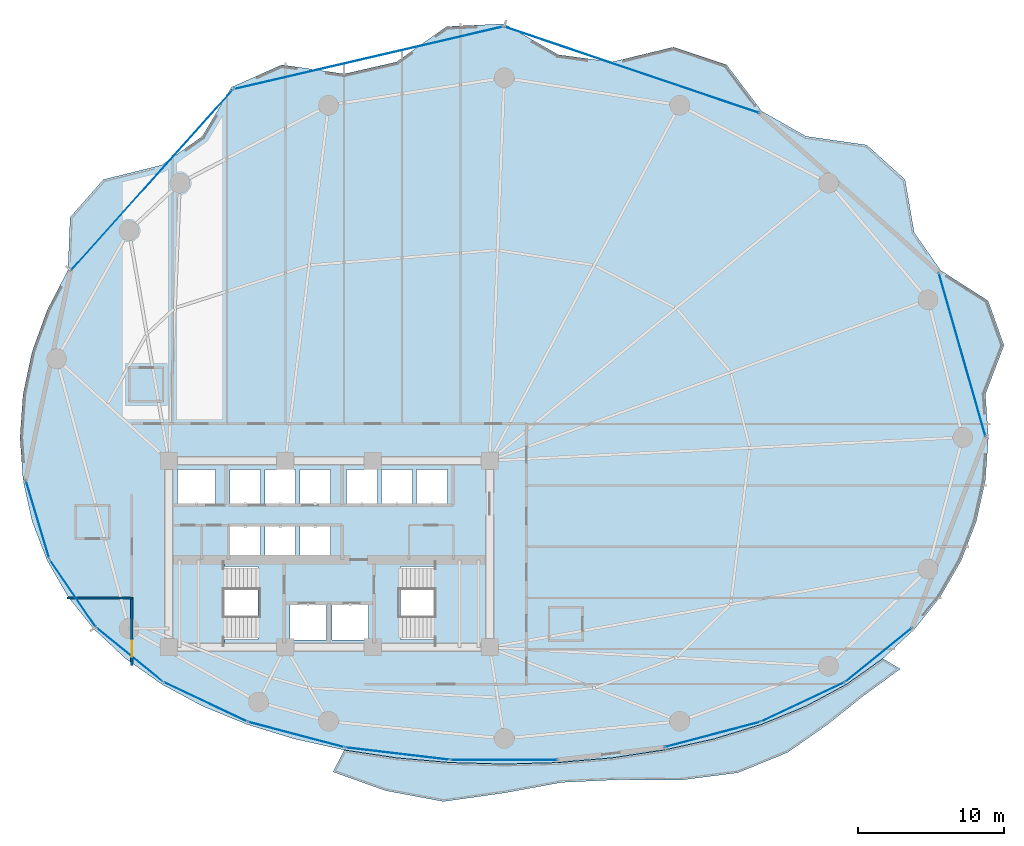
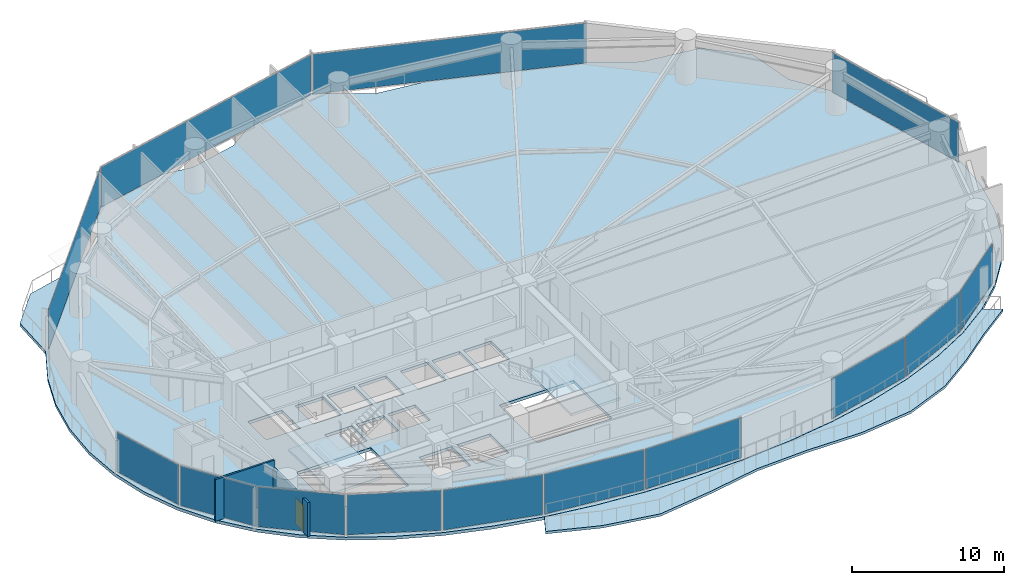
# One storey, part 25 of 31: 14 plates, 4 slabs, 2 walls, 1 door, 1 opening, 16 elements without a shape of their own.
"""IFC4 building model written with IfcOpenShell, lengths in metres."""

from ifc_helpers import new_model, si_unit, direction, frame, frame_2d, origin, origin_2d, place, context, subcontext, project, spatial, polyline, rectangle, outline, extrude, material, layer, layer_set, type_object, element, fill, aggregate, save


model = new_model("IFC4")

# Units and contexts
model_context = context("Model", 3, precision=1e-05, world=origin(), true_north=direction((0.0, 1.0)))
body_context = subcontext(model_context, "Body", "Model", "MODEL_VIEW")
ifc_project = project(units=[si_unit("LENGTHUNIT", "METRE"), si_unit("AREAUNIT", "SQUARE_METRE"), si_unit("VOLUMEUNIT", "CUBIC_METRE"), si_unit("PLANEANGLEUNIT", "RADIAN"), si_unit("MASSUNIT", "GRAM", prefix="KILO")], contexts=[model_context])

# Site, building, storey
site_placement = place(None, origin())
site = spatial("IfcSite", under=ifc_project, at=site_placement, CompositionType="ELEMENT")
building_placement = place(site_placement, origin())
building = spatial("IfcBuilding", under=site, at=building_placement, Name="Kazevale Care Tower and Concert Hall", CompositionType="ELEMENT")
storey_placement = place(building_placement, frame((0.0, 0.0, 78.0)))
storey = spatial("IfcBuildingStorey", under=building, at=storey_placement, Name="L20", CompositionType="ELEMENT", Elevation=78.0)

# Curtain wall, plate
ifc_material_1 = material(Name="Aluminium 6063-T6 and Low-E Glass", Category="aluminium")
ifc_layer_1 = layer(ifc_material_1, 0.179931640625)
ifc_layer_set_1 = layer_set([ifc_layer_1], Name="Aluminium 6063-T6 and Low-E Glass")
curtain_wall_type_1 = type_object("IfcCurtainWallType", Name="Convex Checkerboard Finned Curtain Wall CW-2", PredefinedType="NOTDEFINED", material=ifc_layer_set_1)
curtain_wall_1_placement = place(storey_placement, origin())
curtain_wall_1 = element("IfcCurtainWall", 1, at=curtain_wall_1_placement, inside=storey, type_object=curtain_wall_type_1, Name="cw:L20:f14", PredefinedType="NOTDEFINED")
ifc_material_2 = material(Name="Low-E Laminated Glass", Category="glass")
ifc_layer_2 = layer(ifc_material_2, 0.028076171875)
ifc_layer_set_2 = layer_set([ifc_layer_2], Name="Low-E Laminated Glass")
plate_type_1 = type_object("IfcPlateType", Name="CW-2 Low-E Glazing Panel 28mm", PredefinedType="CURTAIN_PANEL", material=ifc_layer_set_2)
plate_1_placement = place(storey_placement, frame((20.845458984375, 55.635009765625, 0.074951171875), z_axis=(0.0, 0.0, 1.0), x_axis=(0.667264908262, 0.744820476493, 0.0)))
plate_1 = element("IfcPlate", 2, at=plate_1_placement, type_object=plate_type_1, Name="CW-2 panel 1.1", PredefinedType="CURTAIN_PANEL", context=body_context, shape_type="SweptSolid", body=[
    extrude(rectangle(XDim=16.5634765625, YDim=0.028076171875, at=origin_2d()), origin(), (0.0, 0.0, 1.0), 3.2099609375),
])
aggregate(curtain_wall_1, [plate_1])

curtain_wall_2_placement = place(storey_placement, origin())
curtain_wall_2 = element("IfcCurtainWall", 3, at=curtain_wall_2_placement, inside=storey, type_object=curtain_wall_type_1, Name="cw:L20:f16", PredefinedType="NOTDEFINED")
plate_2_placement = place(storey_placement, frame((53.7490234375, 63.19140625, 0.074951171875), z_axis=(0.0, 0.0, 1.0), x_axis=(0.947202632135, -0.320635577685, 0.0)))
plate_2 = element("IfcPlate", 4, at=plate_2_placement, type_object=plate_type_1, Name="CW-2 panel 1.1", PredefinedType="CURTAIN_PANEL", context=body_context, shape_type="SweptSolid", body=[
    extrude(rectangle(XDim=18.40625, YDim=0.028076171875, at=origin_2d()), origin(), (0.0, 0.0, 1.0), 3.2099609375),
])
aggregate(curtain_wall_2, [plate_2])

ifc_layer_3 = layer(ifc_material_1, 0.179931640625)
ifc_layer_set_3 = layer_set([ifc_layer_3], Name="Aluminium 6063-T6 and Low-E Glass")
curtain_wall_type_2 = type_object("IfcCurtainWallType", Name="Convex Recessed Sunroom Curtain Wall CW-3", PredefinedType="NOTDEFINED", material=ifc_layer_set_3)
curtain_wall_3_placement = place(storey_placement, origin())
curtain_wall_3 = element("IfcCurtainWall", 5, at=curtain_wall_3_placement, inside=storey, type_object=curtain_wall_type_2, Name="cw:L20:f15", PredefinedType="NOTDEFINED")
ifc_layer_4 = layer(ifc_material_2, 0.028076171875)
ifc_layer_set_4 = layer_set([ifc_layer_4], Name="Low-E Laminated Glass")
plate_type_2 = type_object("IfcPlateType", Name="CW-3 Low-E Glazing Panel 28mm", PredefinedType="CURTAIN_PANEL", material=ifc_layer_set_4)
plate_3_placement = place(storey_placement, frame((35.6904296875, 64.015380859375, 0.074951171875), z_axis=(0.0, 0.0, 1.0), x_axis=(0.9740605916, 0.226287348061, 0.0)))
plate_3 = element("IfcPlate", 6, at=plate_3_placement, type_object=plate_type_2, Name="CW-3 panel 1.1", PredefinedType="CURTAIN_PANEL", context=body_context, shape_type="SweptSolid", body=[
    extrude(rectangle(XDim=18.87451171875, YDim=0.028076171875, at=origin_2d()), origin(), (0.0, 0.0, 1.0), 3.2099609375),
])
aggregate(curtain_wall_3, [plate_3])

ifc_layer_5 = layer(ifc_material_1, 0.179931640625)
ifc_layer_set_5 = layer_set([ifc_layer_5], Name="Aluminium 6063-T6 and Low-E Glass")
curtain_wall_type_3 = type_object("IfcCurtainWallType", Name="Waist & Upper Residential Curtain Wall CW-4", PredefinedType="NOTDEFINED", material=ifc_layer_set_5)
curtain_wall_4_placement = place(storey_placement, origin())
curtain_wall_4 = element("IfcCurtainWall", 7, at=curtain_wall_4_placement, inside=storey, type_object=curtain_wall_type_3, Name="cw:L20:f11", PredefinedType="NOTDEFINED")
ifc_layer_6 = layer(ifc_material_2, 0.030029296875)
ifc_layer_set_6 = layer_set([ifc_layer_6], Name="Low-E Laminated Glass")
plate_type_3 = type_object("IfcPlateType", Name="CW-4 Low-E Glazing Panel 30mm", PredefinedType="CURTAIN_PANEL", material=ifc_layer_set_6)
plate_4_placement = place(storey_placement, frame((15.423583984375, 27.298095703125, 0.080078125), z_axis=(0.0, 0.0, 1.0), x_axis=(-0.563665236801, 0.826003329789, 0.0)))
plate_4 = element("IfcPlate", 8, at=plate_4_placement, type_object=plate_type_3, Name="CW-4 panel 1.1", PredefinedType="CURTAIN_PANEL", context=body_context, shape_type="SweptSolid", body=[
    extrude(rectangle(XDim=5.50830078125, YDim=0.030029296875, at=origin_2d()), origin(), (0.0, 0.0, 1.0), 3.199951171875),
])
aggregate(curtain_wall_4, [plate_4])

curtain_wall_5_placement = place(storey_placement, origin())
curtain_wall_5 = element("IfcCurtainWall", 9, at=curtain_wall_5_placement, inside=storey, type_object=curtain_wall_type_3, Name="cw:L20:f12", PredefinedType="NOTDEFINED")
plate_5_placement = place(storey_placement, frame((13.006591796875, 32.364990234375, 0.080078125), z_axis=(0.0, 0.0, 1.0), x_axis=(-0.287895747909, 0.957661755703, 0.0)))
plate_5 = element("IfcPlate", 10, at=plate_5_placement, type_object=plate_type_3, Name="CW-4 panel 1.1", PredefinedType="CURTAIN_PANEL", context=body_context, shape_type="SweptSolid", body=[
    extrude(rectangle(XDim=5.532958984375, YDim=0.030029296875, at=origin_2d()), origin(), (0.0, 0.0, 1.0), 3.199951171875),
])
aggregate(curtain_wall_5, [plate_5])

curtain_wall_6_placement = place(storey_placement, origin())
curtain_wall_6 = element("IfcCurtainWall", 11, at=curtain_wall_6_placement, inside=storey, type_object=curtain_wall_type_3, Name="cw:L20:f18", PredefinedType="NOTDEFINED")
plate_6_placement = place(storey_placement, frame((76.402587890625, 43.660888671875, 0.080078125), z_axis=(0.0, 0.0, 1.0), x_axis=(0.274732344388, -0.961520742858, 0.0)))
plate_6 = element("IfcPlate", 12, at=plate_6_placement, type_object=plate_type_3, Name="CW-4 panel 1.1", PredefinedType="CURTAIN_PANEL", context=body_context, shape_type="SweptSolid", body=[
    extrude(rectangle(XDim=11.614990234375, YDim=0.030029296875, at=origin_2d()), origin(), (0.0, 0.0, 1.0), 3.199951171875),
])
aggregate(curtain_wall_6, [plate_6])

ifc_layer_7 = layer(ifc_material_1, 0.179931640625)
ifc_layer_set_7 = layer_set([ifc_layer_7], Name="Aluminium 6063-T6 and Low-E Glass")
curtain_wall_type_4 = type_object("IfcCurtainWallType", Name="Sheltered Concave Balcony Curtain Wall CW-5", PredefinedType="NOTDEFINED", material=ifc_layer_set_7)
curtain_wall_7_placement = place(storey_placement, origin())
curtain_wall_7 = element("IfcCurtainWall", 13, at=curtain_wall_7_placement, inside=storey, type_object=curtain_wall_type_4, Name="cw:L20:f02", PredefinedType="NOTDEFINED")
ifc_layer_8 = layer(ifc_material_2, 0.02587890625)
ifc_layer_set_8 = layer_set([ifc_layer_8], Name="Low-E Laminated Glass")
plate_type_4 = type_object("IfcPlateType", Name="CW-5 Low-E Glazing Panel 26mm", PredefinedType="CURTAIN_PANEL", material=ifc_layer_set_8)
plate_7_placement = place(storey_placement, frame((70.679931640625, 23.092041015625, 0.074951171875), z_axis=(0.0, 0.0, 1.0), x_axis=(-0.77659940539, -0.629994732952, 0.0)))
plate_7 = element("IfcPlate", 14, at=plate_7_placement, type_object=plate_type_4, Name="CW-5 panel 1.1", PredefinedType="CURTAIN_PANEL", context=body_context, shape_type="SweptSolid", body=[
    extrude(rectangle(XDim=5.770751953125, YDim=0.02587890625, at=origin_2d()), origin(), (0.0, 0.0, 1.0), 3.2099609375),
])
aggregate(curtain_wall_7, [plate_7])

curtain_wall_8_placement = place(storey_placement, origin())
curtain_wall_8 = element("IfcCurtainWall", 15, at=curtain_wall_8_placement, inside=storey, type_object=curtain_wall_type_4, Name="cw:L20:f03", PredefinedType="NOTDEFINED")
plate_8_placement = place(storey_placement, frame((65.491943359375, 19.863037109375, 0.074951171875), z_axis=(0.0, 0.0, 1.0), x_axis=(-0.904278859092, -0.426942320459, 0.0)))
plate_8 = element("IfcPlate", 16, at=plate_8_placement, type_object=plate_type_4, Name="CW-5 panel 1.1", PredefinedType="CURTAIN_PANEL", context=body_context, shape_type="SweptSolid", body=[
    extrude(rectangle(XDim=6.239501953125, YDim=0.02587890625, at=origin_2d()), origin(), (0.0, 0.0, 1.0), 3.2099609375),
])
aggregate(curtain_wall_8, [plate_8])

curtain_wall_9_placement = place(storey_placement, origin())
curtain_wall_9 = element("IfcCurtainWall", 17, at=curtain_wall_9_placement, inside=storey, type_object=curtain_wall_type_4, Name="cw:L20:f04", PredefinedType="NOTDEFINED")
plate_9_placement = place(storey_placement, frame((59.267578125, 17.6201171875, 0.074951171875), z_axis=(0.0, 0.0, 1.0), x_axis=(-0.966986230097, -0.254828630267, 0.0)))
plate_9 = element("IfcPlate", 18, at=plate_9_placement, type_object=plate_type_4, Name="CW-5 panel 1.1", PredefinedType="CURTAIN_PANEL", context=body_context, shape_type="SweptSolid", body=[
    extrude(rectangle(XDim=6.748779296875, YDim=0.02587890625, at=origin_2d()), origin(), (0.0, 0.0, 1.0), 3.2099609375),
])
aggregate(curtain_wall_9, [plate_9])

curtain_wall_10_placement = place(storey_placement, origin())
curtain_wall_10 = element("IfcCurtainWall", 19, at=curtain_wall_10_placement, inside=storey, type_object=curtain_wall_type_4, Name="cw:L20:f06", PredefinedType="NOTDEFINED")
plate_10_placement = place(storey_placement, frame((45.0, 15.885986328125, 0.074951171875), z_axis=(0.0, 0.0, 1.0), x_axis=(-1.0, 0.0, 0.0)))
plate_10 = element("IfcPlate", 20, at=plate_10_placement, type_object=plate_type_4, Name="CW-5 panel 1.1", PredefinedType="CURTAIN_PANEL", context=body_context, shape_type="SweptSolid", body=[
    extrude(rectangle(XDim=7.263916015625, YDim=0.02587890625, at=origin_2d()), origin(), (0.0, 0.0, 1.0), 3.2099609375),
])
aggregate(curtain_wall_10, [plate_10])

curtain_wall_11_placement = place(storey_placement, origin())
curtain_wall_11 = element("IfcCurtainWall", 21, at=curtain_wall_11_placement, inside=storey, type_object=curtain_wall_type_4, Name="cw:L20:f07", PredefinedType="NOTDEFINED")
plate_11_placement = place(storey_placement, frame((37.680419921875, 16.3134765625, 0.074951171875), z_axis=(0.0, 0.0, 1.0), x_axis=(-0.993070624294, 0.117519084253, 0.0)))
plate_11 = element("IfcPlate", 22, at=plate_11_placement, type_object=plate_type_4, Name="CW-5 panel 1.1", PredefinedType="CURTAIN_PANEL", context=body_context, shape_type="SweptSolid", body=[
    extrude(rectangle(XDim=7.12548828125, YDim=0.02587890625, at=origin_2d()), origin(), (0.0, 0.0, 1.0), 3.2099609375),
])
aggregate(curtain_wall_11, [plate_11])

curtain_wall_12_placement = place(storey_placement, origin())
curtain_wall_12 = element("IfcCurtainWall", 23, at=curtain_wall_12_placement, inside=storey, type_object=curtain_wall_type_4, Name="cw:L20:f08", PredefinedType="NOTDEFINED")
plate_12_placement = place(storey_placement, frame((30.732421875, 17.6201171875, 0.074951171875), z_axis=(0.0, 0.0, 1.0), x_axis=(-0.966986230097, 0.254828630267, 0.0)))
plate_12 = element("IfcPlate", 24, at=plate_12_placement, type_object=plate_type_4, Name="CW-5 panel 1.1", PredefinedType="CURTAIN_PANEL", context=body_context, shape_type="SweptSolid", body=[
    extrude(rectangle(XDim=6.748779296875, YDim=0.02587890625, at=origin_2d()), origin(), (0.0, 0.0, 1.0), 3.2099609375),
])
aggregate(curtain_wall_12, [plate_12])

curtain_wall_13_placement = place(storey_placement, origin())
curtain_wall_13 = element("IfcCurtainWall", 25, at=curtain_wall_13_placement, inside=storey, type_object=curtain_wall_type_4, Name="cw:L20:f09", PredefinedType="NOTDEFINED")
plate_13_placement = place(storey_placement, frame((24.508056640625, 19.863037109375, 0.074951171875), z_axis=(0.0, 0.0, 1.0), x_axis=(-0.904278859092, 0.426942320459, 0.0)))
plate_13 = element("IfcPlate", 26, at=plate_13_placement, type_object=plate_type_4, Name="CW-5 panel 1.1", PredefinedType="CURTAIN_PANEL", context=body_context, shape_type="SweptSolid", body=[
    extrude(rectangle(XDim=6.239501953125, YDim=0.02587890625, at=origin_2d()), origin(), (0.0, 0.0, 1.0), 3.2099609375),
])
aggregate(curtain_wall_13, [plate_13])

curtain_wall_14_placement = place(storey_placement, origin())
curtain_wall_14 = element("IfcCurtainWall", 27, at=curtain_wall_14_placement, inside=storey, type_object=curtain_wall_type_4, Name="cw:L20:f10", PredefinedType="NOTDEFINED")
plate_14_placement = place(storey_placement, frame((19.320068359375, 23.092041015625, 0.074951171875), z_axis=(0.0, 0.0, 1.0), x_axis=(-0.77659940539, 0.629994732952, 0.0)))
plate_14 = element("IfcPlate", 28, at=plate_14_placement, type_object=plate_type_4, Name="CW-5 panel 1.1", PredefinedType="CURTAIN_PANEL", context=body_context, shape_type="SweptSolid", body=[
    extrude(rectangle(XDim=5.770751953125, YDim=0.02587890625, at=origin_2d()), origin(), (0.0, 0.0, 1.0), 3.2099609375),
])
aggregate(curtain_wall_14, [plate_14])

# Slab
ifc_material_3 = material(Name="Concrete C40", Category="concrete")
ifc_layer_9 = layer(ifc_material_3, 0.199951171875)
ifc_layer_set_9 = layer_set([ifc_layer_9], Name="Concrete C40")
slab_type_1 = type_object("IfcSlabType", Name="Sinusoidal Concave Balcony Slab 200", PredefinedType="USERDEFINED", material=ifc_layer_set_9)
slab_1_placement = place(storey_placement, frame((0.0, 0.0, -0.199951171875)))
element("IfcSlab", 29, at=slab_1_placement, inside=storey, type_object=slab_type_1, Name="slab:L20:bal", ObjectType="BALCONY", PredefinedType="USERDEFINED", context=body_context, shape_type="SweptSolid", body=[
    extrude(outline(polyline([(72.1591796875, 22.124267578125), (69.60595703125, 20.2587890625), (67.142822265625, 18.291259765625), (64.41015625, 16.384521484375), (61.025390625, 15.00341796875), (57.0263671875, 14.489501953125), (52.890380859375, 14.530029296875), (48.94482421875, 14.3408203125), (45.0, 13.616455078125), (40.836669921875, 13.02978515625), (36.855712890625, 13.775146484375), (33.26611328125, 15.061279296875), (34.0322265625, 16.55908203125), (34.03369140625, 16.558837890625), (37.61181640625, 16.0205078125), (41.282470703125, 15.700927734375), (45.0, 15.594970703125), (48.717529296875, 15.700927734375), (52.38818359375, 16.0205078125), (55.96630859375, 16.558837890625), (59.40625, 17.323974609375), (62.665283203125, 18.324951171875), (65.701904296875, 19.571044921875), (68.478515625, 21.069091796875), (70.9599609375, 22.8232421875), (70.961181640625, 22.824462890625), (72.1591796875, 22.124267578125)])), origin(), (0.0, 0.0, 1.0), 0.199951171875),
])

# Stair, slab
stair_type = type_object("IfcStairType", Name="Exit Stair Assembly ST1-Z1", PredefinedType="HALF_TURN_STAIR", material=ifc_material_3)
stair_1_placement = place(storey_placement, origin())
stair_1 = element("IfcStair", 30, at=stair_1_placement, inside=storey, type_object=stair_type, Name="stair:L20:ST1", PredefinedType="HALF_TURN_STAIR")
ifc_layer_10 = layer(ifc_material_3, 0.199951171875)
ifc_layer_set_10 = layer_set([ifc_layer_10], Name="Concrete C40")
slab_type_2 = type_object("IfcSlabType", Name="Stair Half-Landing Slab ST1-Z1", PredefinedType="LANDING", material=ifc_layer_set_10)
slab_2_placement = place(storey_placement, frame((0.0, 0.0, 1.60009765625)))
slab_2 = element("IfcSlab", 31, at=slab_2_placement, type_object=slab_type_2, Name="ST1-Z1 landing 1", PredefinedType="LANDING", context=body_context, shape_type="SweptSolid", body=[
    extrude(outline(polyline([(22.050048828125, 23.699951171875), (25.81005859375, 23.699951171875), (25.81005859375, 29.5), (22.050048828125, 29.5), (22.050048828125, 23.699951171875)])), origin(), (0.0, 0.0, 1.0), 0.199951171875),
])
aggregate(stair_1, [slab_2])

stair_2_placement = place(storey_placement, origin())
stair_2 = element("IfcStair", 32, at=stair_2_placement, inside=storey, type_object=stair_type, Name="stair:L20:ST2", PredefinedType="HALF_TURN_STAIR")
slab_3_placement = place(storey_placement, frame((0.0, 0.0, 1.60009765625)))
slab_3 = element("IfcSlab", 33, at=slab_3_placement, type_object=slab_type_2, Name="ST1-Z1 landing 1", PredefinedType="LANDING", context=body_context, shape_type="SweptSolid", body=[
    extrude(outline(polyline([(40.18994140625, 23.699951171875), (43.949951171875, 23.699951171875), (43.949951171875, 29.5), (40.18994140625, 29.5), (40.18994140625, 23.699951171875)])), origin(), (0.0, 0.0, 1.0), 0.199951171875),
])
aggregate(stair_2, [slab_3])

# Slab
ifc_layer_11 = layer(ifc_material_3, 0.239990234375)
ifc_layer_set_11 = layer_set([ifc_layer_11], Name="Concrete C40")
slab_type_3 = type_object("IfcSlabType", Name="Tower Typical Floor Slab 240", PredefinedType="FLOOR", material=ifc_layer_set_11)
slab_4_placement = place(storey_placement, frame((0.0, 0.0, -0.239990234375)))
element("IfcSlab", 34, at=slab_4_placement, inside=storey, type_object=slab_type_3, Name="slab:L20:tw:1", PredefinedType="FLOOR", context=body_context, shape_type="SweptSolid", body=[
    extrude(outline(polyline([(78.199951171875, 38.0), (77.9912109375, 40.955810546875), (79.268798828125, 44.30859375), (78.177490234375, 47.36328125), (74.912109375, 49.45458984375), (73.111083984375, 52.045654296875), (72.4814453125, 55.67578125), (69.854736328125, 58.04638671875), (65.699951171875, 58.640380859375), (62.66357421875, 60.353515625), (60.2509765625, 63.54248046875), (56.609375, 64.759033203125), (52.3876953125, 63.738037109375), (48.71728515625, 64.23388671875), (45.0, 66.35009765625), (41.064453125, 66.171630859375), (37.6123046875, 63.738037109375), (34.03466796875, 62.91845703125), (29.7490234375, 63.54248046875), (26.299072265625, 62.004638671875), (24.300048828125, 58.640380859375), (21.524169921875, 56.66748046875), (17.5185546875, 55.67578125), (15.237548828125, 53.0830078125), (15.087890625, 49.45458984375), (13.6630859375, 46.719482421875), (12.63232421875, 43.87451171875), (12.0087890625, 40.955810546875), (11.800048828125, 38.0), (12.0087890625, 35.06494140625), (12.63232421875, 32.23388671875), (13.6630859375, 29.560791015625), (15.087890625, 27.084716796875), (16.888916015625, 24.833984375), (19.043212890625, 22.8271484375), (21.524169921875, 21.073486328125), (24.300048828125, 19.575439453125), (27.33642578125, 18.32958984375), (30.59521484375, 17.32861328125), (34.03466796875, 16.563720703125), (37.6123046875, 16.025390625), (41.28271484375, 15.705810546875), (45.0, 15.60009765625), (48.71728515625, 15.705810546875), (52.3876953125, 16.025390625), (55.96533203125, 16.563720703125), (59.40478515625, 17.32861328125), (62.66357421875, 18.32958984375), (65.699951171875, 19.575439453125), (68.475830078125, 21.073486328125), (70.956787109375, 22.8271484375), (73.111083984375, 24.833984375), (74.912109375, 27.084716796875), (76.3369140625, 29.560791015625), (77.36767578125, 32.23388671875), (77.9912109375, 35.06494140625), (78.199951171875, 38.0)]), holes=[polyline([(22.449951171875, 24.14990234375), (28.110107421875, 24.14990234375), (28.110107421875, 29.14990234375), (22.449951171875, 29.14990234375), (22.449951171875, 24.14990234375)]), polyline([(37.889892578125, 24.14990234375), (43.550048828125, 24.14990234375), (43.550048828125, 29.14990234375), (37.889892578125, 29.14990234375), (37.889892578125, 24.14990234375)]), polyline([(30.300048828125, 24.10009765625), (32.800048828125, 24.10009765625), (32.800048828125, 26.60009765625), (30.300048828125, 26.60009765625), (30.300048828125, 24.10009765625)]), polyline([(33.199951171875, 24.10009765625), (35.699951171875, 24.10009765625), (35.699951171875, 26.60009765625), (33.199951171875, 26.60009765625), (33.199951171875, 24.10009765625)]), polyline([(22.60009765625, 33.39990234375), (25.199951171875, 33.39990234375), (25.199951171875, 35.800048828125), (22.60009765625, 35.800048828125), (22.60009765625, 33.39990234375)]), polyline([(26.199951171875, 33.39990234375), (28.300048828125, 33.39990234375), (28.300048828125, 35.800048828125), (26.199951171875, 35.800048828125), (26.199951171875, 33.39990234375)]), polyline([(28.60009765625, 33.39990234375), (30.699951171875, 33.39990234375), (30.699951171875, 35.800048828125), (28.60009765625, 35.800048828125), (28.60009765625, 33.39990234375)]), polyline([(31.0, 33.39990234375), (33.10009765625, 33.39990234375), (33.10009765625, 35.800048828125), (31.0, 35.800048828125), (31.0, 33.39990234375)]), polyline([(34.199951171875, 33.39990234375), (36.300048828125, 33.39990234375), (36.300048828125, 35.800048828125), (34.199951171875, 35.800048828125), (34.199951171875, 33.39990234375)]), polyline([(36.60009765625, 33.39990234375), (38.699951171875, 33.39990234375), (38.699951171875, 35.800048828125), (36.60009765625, 35.800048828125), (36.60009765625, 33.39990234375)]), polyline([(39.0, 33.39990234375), (41.10009765625, 33.39990234375), (41.10009765625, 35.800048828125), (39.0, 35.800048828125), (39.0, 33.39990234375)]), polyline([(26.199951171875, 29.949951171875), (28.300048828125, 29.949951171875), (28.300048828125, 31.949951171875), (26.199951171875, 31.949951171875), (26.199951171875, 29.949951171875)]), polyline([(28.60009765625, 29.949951171875), (30.699951171875, 29.949951171875), (30.699951171875, 31.949951171875), (28.60009765625, 31.949951171875), (28.60009765625, 29.949951171875)]), polyline([(31.0, 29.949951171875), (33.10009765625, 29.949951171875), (33.10009765625, 31.949951171875), (31.0, 31.949951171875), (31.0, 29.949951171875)])]), origin(), (0.0, 0.0, 1.0), 0.239990234375),
])

# Wall
ifc_material_4 = material(Name="Acoustic Gypsum on Steel Stud", Category="steel")
ifc_layer_12 = layer(ifc_material_4, 0.139892578125)
ifc_layer_set_12 = layer_set([ifc_layer_12], Name="Acoustic Gypsum on Steel Stud")
wall_type_1 = type_object("IfcWallType", Name="Acoustic Care & Suite Partition 140", PredefinedType="PARTITIONING", material=ifc_layer_set_12)
wall_1_placement = place(storey_placement, frame((15.006103515625, 27.0, 0.0), z_axis=(0.0, 0.0, 1.0), x_axis=(1.0, 0.0, 0.0)))
element("IfcWall", 35, at=wall_1_placement, inside=storey, type_object=wall_type_1, Name="wall:L20:auto_028", PredefinedType="PARTITIONING", context=body_context, shape_type="SweptSolid", body=[
    extrude(rectangle(XDim=4.498779296875, YDim=0.139892578125, at=frame_2d((2.24951171875, 0.0))), origin(), (0.0, 0.0, 1.0), 3.360107421875),
])

# Wall, opening, door
ifc_material_5 = material(Name="Concrete C40 and Acoustic Gypsum", Category="concrete")
ifc_layer_13 = layer(ifc_material_5, 0.179931640625)
ifc_layer_set_13 = layer_set([ifc_layer_13], Name="Concrete C40 and Acoustic Gypsum")
wall_type_2 = type_object("IfcWallType", Name="Fire-Rated Corridor & Party Wall 180", PredefinedType="PARTITIONING", material=ifc_layer_set_13)
wall_2_placement = place(storey_placement, frame((19.47509765625, 22.362060546875, 0.0), z_axis=(0.0, 0.0, 1.0), x_axis=(0.0, 1.0, 0.0)))
wall_2 = element("IfcWall", 36, at=wall_2_placement, inside=storey, type_object=wall_type_2, Name="wall:L20:auto_014", PredefinedType="PARTITIONING", context=body_context, shape_type="SweptSolid", body=[
    extrude(rectangle(XDim=4.702880859375, YDim=0.179931640625, at=frame_2d((2.3515625, 0.0))), origin(), (0.0, 0.0, 1.0), 2.738037109375),
])
opening_placement = place(wall_2_placement, frame((0.60205078125, 0.0, 0.0)))
opening = element("IfcOpeningElement", 37, at=opening_placement, cuts=wall_2, Name="Opening ID-1100", PredefinedType="OPENING", context=body_context, shape_type="SweptSolid", body=[
    extrude(rectangle(XDim=1.10009765625, YDim=2.10009765625, at=frame_2d((0.550048828125, 1.050048828125))), frame((0.0, 0.099853515625, 0.0), z_axis=(0.0, -1.0, 0.0), x_axis=(1.0, 0.0, 0.0)), (0.0, 0.0, 1.0), 0.199951171875),
])
ifc_material_6 = material(Name="Oak Timber Fire Leaf", Category="wood")
door_type = type_object("IfcDoorType", Name="Care Bedroom Accessible Door 1100x2100", OperationType="NOTDEFINED", PredefinedType="DOOR", material=ifc_material_6)
door_placement = place(opening_placement, origin())
door = element("IfcDoor", 38, at=door_placement, inside=storey, type_object=door_type, Name="door:L20:ad_014", OperationType="SINGLE_SWING_LEFT", OverallHeight=2.10009765625, OverallWidth=1.10009765625, PredefinedType="DOOR", context=body_context, shape_type="SweptSolid", body=[
    extrude(rectangle(XDim=1.10009765625, YDim=2.10009765625, at=frame_2d((0.550048828125, 1.050048828125))), frame((0.0, 0.02490234375, 0.0), z_axis=(0.0, -1.0, 0.0), x_axis=(1.0, 0.0, 0.0)), (0.0, 0.0, 1.0), 0.050048828125),
])
fill(opening, door)

save(model, "model.ifc")
